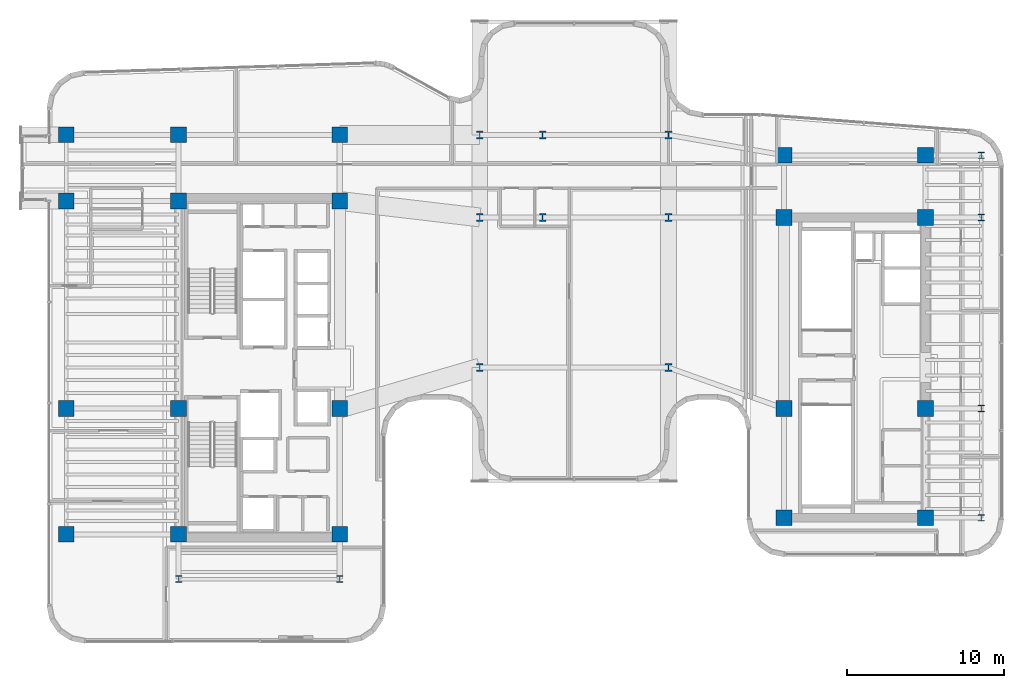
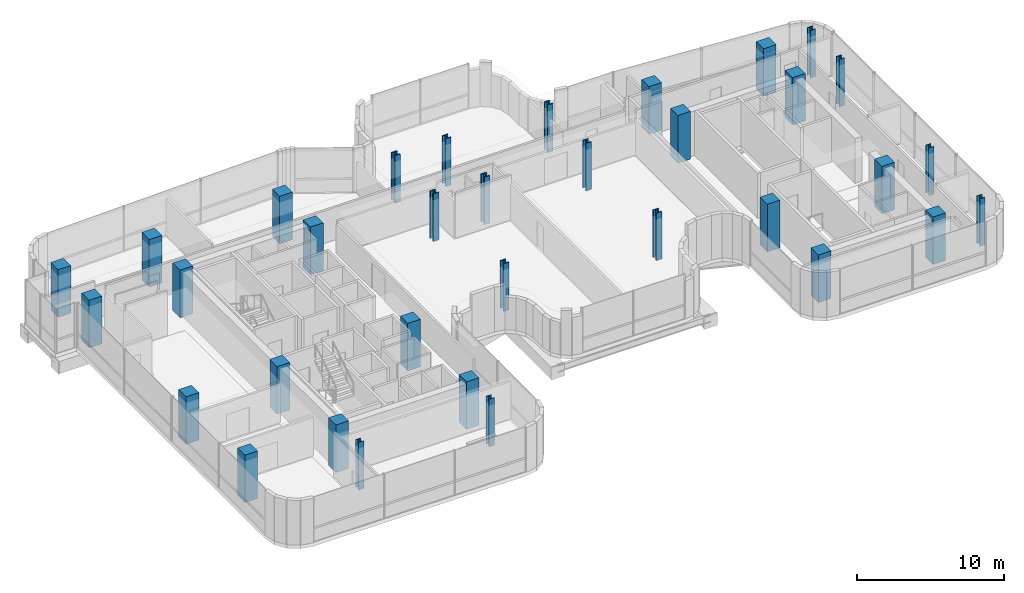
# One storey, part 1 of 35: 34 columns.
"""IFC4 building model written with IfcOpenShell, lengths in metres."""

from ifc_helpers import new_model, si_unit, direction, frame, origin, origin_2d, place, context, subcontext, project, spatial, rectangle, i_section, extrude, source, transform, mapped, material, material_profile, profile_set, type_object, element, save


model = new_model("IFC4")

# Units and contexts
model_context = context("Model", 3, precision=1e-05, world=origin(), true_north=direction((0.0, 1.0)))
body_context = subcontext(model_context, "Body", "Model", "MODEL_VIEW")
ifc_project = project(units=[si_unit("LENGTHUNIT", "METRE"), si_unit("AREAUNIT", "SQUARE_METRE"), si_unit("VOLUMEUNIT", "CUBIC_METRE"), si_unit("PLANEANGLEUNIT", "RADIAN"), si_unit("MASSUNIT", "GRAM", prefix="KILO")], contexts=[model_context])

# Site, building, storey
site_placement = place(None, origin())
site = spatial("IfcSite", under=ifc_project, at=site_placement, CompositionType="ELEMENT")
building_placement = place(site_placement, origin())
building = spatial("IfcBuilding", under=site, at=building_placement, Name="Valdorenza Pilgrim Sanctuary Tower", CompositionType="ELEMENT")
storey_placement = place(building_placement, frame((0.0, 0.0, 192.35009765625)))
storey = spatial("IfcBuildingStorey", under=building, at=storey_placement, Name="L49", CompositionType="ELEMENT", Elevation=192.35009765625)

# Columns
ifc_material_1 = material(Name="Concrete C50/60", Category="concrete")
ifc_material_profile_1 = material_profile(ifc_material_1, rectangle(XDim=1.0, YDim=1.0, at=origin_2d()), Name="RC 1000x1000")
ifc_profile_set_1 = profile_set([ifc_material_profile_1], Name="Concrete C50/60")
column_type_1 = type_object("IfcColumnType", Name="COL-Z3-1000", PredefinedType="COLUMN", material=ifc_profile_set_1)
shared_shape_1 = source(origin(), body_context, "Body", "SweptSolid", [
    extrude(rectangle(XDim=1.0, YDim=1.0, at=origin_2d()), origin(), (0.0, 0.0, 1.0), 3.949951171875),
])
for number, where, z_axis, x_axis, name in (
    (1, (-29.800048828125, -10.60009765625, 0.0), (0.0, 0.0, 1.0), (1.0, 0.0, 0.0), "L49 Perimeter Column WA-W-S1"),
    (2, (-22.64990234375, -10.60009765625, 0.0), (0.0, 0.0, 1.0), (1.0, 0.0, 0.0), "L49 Column CA-W-S1"),
    (3, (-12.39990234375, -10.60009765625, 0.0), (0.0, 0.0, 1.0), (1.0, 0.0, 0.0), "L49 Column CA-E-S1"),
    (4, (-29.800048828125, -2.60009765625, 0.0), (0.0, 0.0, 1.0), (1.0, 0.0, 0.0), "L49 Perimeter Column WA-W-M0"),
    (5, (-22.64990234375, -2.60009765625, 0.0), (0.0, 0.0, 1.0), (1.0, 0.0, 0.0), "L49 Column CA-W-M0"),
    (6, (-12.39990234375, -2.60009765625, 0.0), (0.0, 0.0, 1.0), (1.0, 0.0, 0.0), "L49 Column CA-E-M0"),
    (7, (-29.800048828125, 10.60009765625, 0.0), (0.0, 0.0, 1.0), (1.0, 0.0, 0.0), "L49 Perimeter Column WA-W-N1"),
    (8, (-22.64990234375, 10.60009765625, 0.0), (0.0, 0.0, 1.0), (1.0, 0.0, 0.0), "L49 Column CA-W-N1"),
    (9, (-12.39990234375, 10.60009765625, 0.0), (0.0, 0.0, 1.0), (1.0, 0.0, 0.0), "L49 Column CA-E-N1"),
    (10, (-29.800048828125, 14.800048828125, 0.0), (0.0, 0.0, 1.0), (1.0, 0.0, 0.0), "L49 Perimeter Column WA-W-N2"),
    (11, (-22.64990234375, 14.800048828125, 0.0), (0.0, 0.0, 1.0), (1.0, 0.0, 0.0), "L49 Column CA-W-N2"),
    (12, (-12.39990234375, 14.800048828125, 0.0), (0.0, 0.0, 1.0), (1.0, 0.0, 0.0), "L49 Column CA-E-N2"),
    (13, (15.85009765625, -9.550048828125, 0.0), (0.0, 0.0, 1.0), (1.0, 0.0, 0.0), "L49 Column CB-W-S1"),
    (14, (24.85009765625, -9.550048828125, 0.0), (0.0, 0.0, 1.0), (1.0, 0.0, 0.0), "L49 Column CB-E-S1"),
    (15, (15.85009765625, -2.60009765625, 0.0), (0.0, 0.0, 1.0), (1.0, 0.0, 0.0), "L49 Column CB-W-M0"),
    (16, (24.85009765625, -2.60009765625, 0.0), (0.0, 0.0, 1.0), (1.0, 0.0, 0.0), "L49 Column CB-E-M0"),
    (17, (15.85009765625, 9.550048828125, 0.0), (0.0, 0.0, 1.0), (1.0, 0.0, 0.0), "L49 Column CB-W-N1"),
    (18, (24.85009765625, 9.550048828125, 0.0), (0.0, 0.0, 1.0), (1.0, 0.0, 0.0), "L49 Column CB-E-N1"),
    (19, (15.85009765625, 13.5, 0.0), (0.0, 0.0, 1.0), (1.0, 0.0, 0.0), "L49 Column CB-W-N2"),
    (20, (24.85009765625, 13.5, 0.0), (0.0, 0.0, 1.0), (1.0, 0.0, 0.0), "L49 Column CB-E-N2"),
):
    element("IfcColumn", number, at=place(storey_placement, frame(where, z_axis=z_axis, x_axis=x_axis)), inside=storey, type_object=column_type_1, Name=name, PredefinedType="COLUMN", context=body_context, shape_type="MappedRepresentation", body=[
        mapped(shared_shape_1, transform((0.0, 0.0, 0.0), x_axis=(1.0, 0.0, 0.0), y_axis=(0.0, 1.0, 0.0), z_axis=(0.0, 0.0, 1.0), scale=1.0)),
    ])
ifc_material_2 = material(Name="Steel ASTM A992 Grade 50", Category="steel")
ifc_material_profile_2 = material_profile(ifc_material_2, i_section(OverallWidth=0.412109375, OverallDepth=0.43505859375, WebThickness=0.035888671875, FlangeThickness=0.057373046875, at=origin_2d()), Name="W14X311")
ifc_profile_set_2 = profile_set([ifc_material_profile_2], Name="Steel ASTM A992 Grade 50")
column_type_2 = type_object("IfcColumnType", Name="COL-STL-W311", PredefinedType="COLUMN", material=ifc_profile_set_2)
shared_shape_2 = source(origin(), body_context, "Body", "SweptSolid", [
    extrude(i_section(OverallWidth=0.412109375, OverallDepth=0.43505859375, WebThickness=0.035888671875, FlangeThickness=0.057373046875, at=origin_2d()), origin(), (0.0, 0.0, 1.0), 3.949951171875),
])
for number, where, z_axis, x_axis, name in (
    (21, (-22.64990234375, -13.449951171875, 0.0), (0.0, 0.0, 1.0), (1.0, 0.0, 0.0), "L49 Column WA-S-W"),
    (22, (-12.39990234375, -13.449951171875, 0.0), (0.0, 0.0, 1.0), (1.0, 0.0, 0.0), "L49 Column WA-S-E"),
    (23, (28.39990234375, -9.550048828125, 0.0), (0.0, 0.0, 1.0), (1.0, 0.0, 0.0), "L49 Perimeter Column WB-E-S1"),
    (24, (28.39990234375, -2.60009765625, 0.0), (0.0, 0.0, 1.0), (1.0, 0.0, 0.0), "L49 Perimeter Column WB-E-M0"),
    (25, (28.39990234375, 9.550048828125, 0.0), (0.0, 0.0, 1.0), (1.0, 0.0, 0.0), "L49 Perimeter Column WB-E-N1"),
    (26, (28.39990234375, 13.5, 0.0), (0.0, 0.0, 1.0), (1.0, 0.0, 0.0), "L49 Perimeter Column WB-E-N2"),
):
    element("IfcColumn", number, at=place(storey_placement, frame(where, z_axis=z_axis, x_axis=x_axis)), inside=storey, type_object=column_type_2, Name=name, PredefinedType="COLUMN", context=body_context, shape_type="MappedRepresentation", body=[
        mapped(shared_shape_2, transform((0.0, 0.0, 0.0), x_axis=(1.0, 0.0, 0.0), y_axis=(0.0, 1.0, 0.0), z_axis=(0.0, 0.0, 1.0), scale=1.0)),
    ])
ifc_material_profile_3 = material_profile(ifc_material_2, i_section(OverallWidth=0.431884765625, OverallDepth=0.498046875, WebThickness=0.0556640625, FlangeThickness=0.0888671875, at=origin_2d()), Name="W14X500")
ifc_profile_set_3 = profile_set([ifc_material_profile_3], Name="Steel ASTM A992 Grade 50")
column_type_3 = type_object("IfcColumnType", Name="COL-STL-W500", PredefinedType="COLUMN", material=ifc_profile_set_3)
shared_shape_3 = source(origin(), body_context, "Body", "SweptSolid", [
    extrude(i_section(OverallWidth=0.431884765625, OverallDepth=0.498046875, WebThickness=0.0556640625, FlangeThickness=0.0888671875, at=origin_2d()), origin(), (0.0, 0.0, 1.0), 3.949951171875),
])
for number, where, z_axis, x_axis, name in (
    (27, (-3.5, 0.0, 0.0), (0.0, 0.0, 1.0), (1.0, 0.0, 0.0), "L49 Column PRY-W0"),
    (28, (-3.5, 9.550048828125, 0.0), (0.0, 0.0, 1.0), (1.0, 0.0, 0.0), "L49 Column PRY-W1"),
    (29, (-3.5, 14.800048828125, 0.0), (0.0, 0.0, 1.0), (1.0, 0.0, 0.0), "L49 Column PRY-W2"),
    (30, (8.5, 0.0, 0.0), (0.0, 0.0, 1.0), (1.0, 0.0, 0.0), "L49 Column PRY-E0"),
    (31, (8.5, 9.550048828125, 0.0), (0.0, 0.0, 1.0), (1.0, 0.0, 0.0), "L49 Column PRY-E1"),
    (32, (8.5, 14.800048828125, 0.0), (0.0, 0.0, 1.0), (1.0, 0.0, 0.0), "L49 Column PRY-E2"),
    (33, (0.5, 9.550048828125, 0.0), (0.0, 0.0, 1.0), (1.0, 0.0, 0.0), "L49 Column PRY-TB1"),
    (34, (0.5, 14.800048828125, 0.0), (0.0, 0.0, 1.0), (1.0, 0.0, 0.0), "L49 Column PRY-TB2"),
):
    element("IfcColumn", number, at=place(storey_placement, frame(where, z_axis=z_axis, x_axis=x_axis)), inside=storey, type_object=column_type_3, Name=name, PredefinedType="COLUMN", context=body_context, shape_type="MappedRepresentation", body=[
        mapped(shared_shape_3, transform((0.0, 0.0, 0.0), x_axis=(1.0, 0.0, 0.0), y_axis=(0.0, 1.0, 0.0), z_axis=(0.0, 0.0, 1.0), scale=1.0)),
    ])

save(model, "model.ifc")
